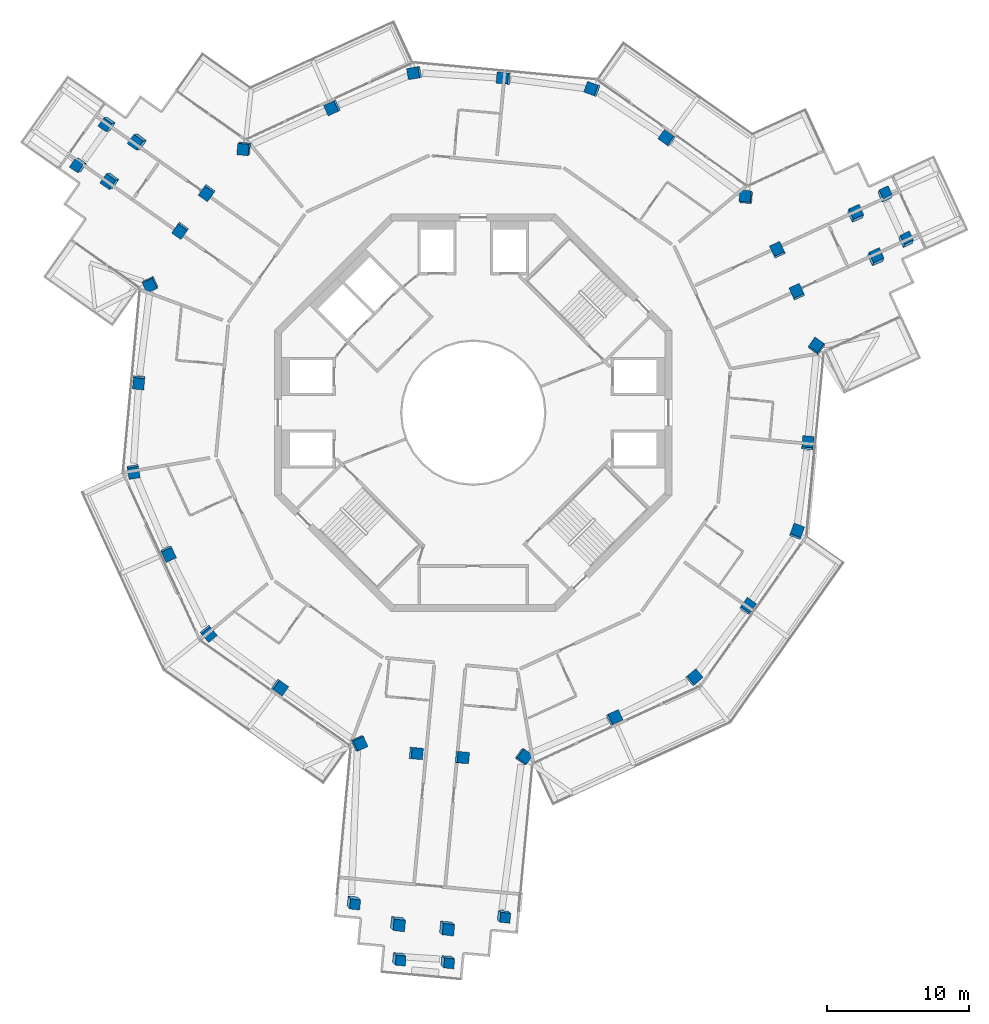
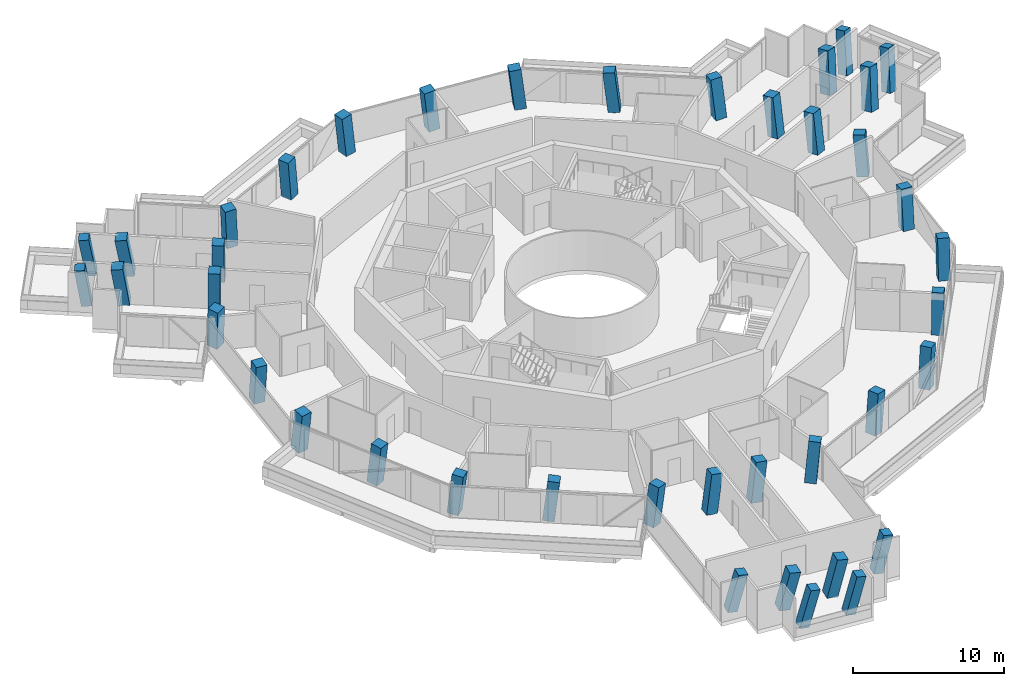
# One storey, part 1 of 23: 41 columns.
"""IFC4 building model written with IfcOpenShell, lengths in metres."""

from ifc_helpers import new_model, si_unit, direction, frame, origin, origin_2d, place, context, subcontext, project, spatial, rectangle, extrude, material, material_profile, profile_set, type_object, element, save


model = new_model("IFC4")

# Units and contexts
model_context = context("Model", 3, precision=1e-05, world=origin(), true_north=direction((0.0, 1.0)))
body_context = subcontext(model_context, "Body", "Model", "MODEL_VIEW")
ifc_project = project(units=[si_unit("LENGTHUNIT", "METRE"), si_unit("AREAUNIT", "SQUARE_METRE"), si_unit("VOLUMEUNIT", "CUBIC_METRE"), si_unit("PLANEANGLEUNIT", "RADIAN"), si_unit("MASSUNIT", "GRAM", prefix="KILO")], contexts=[model_context])

# Site, building, storey
site_placement = place(None, origin())
site = spatial("IfcSite", under=ifc_project, at=site_placement, CompositionType="ELEMENT")
building_placement = place(site_placement, origin())
building = spatial("IfcBuilding", under=site, at=building_placement, Name="Verdalira Terraces Hotel", CompositionType="ELEMENT")
storey_placement = place(building_placement, frame((0.0, 0.0, 256.0)))
storey = spatial("IfcBuildingStorey", under=building, at=storey_placement, Name="L63", CompositionType="ELEMENT", Elevation=256.0)

# Columns
ifc_material_1 = material(Name="Concrete C50", Category="concrete")
ifc_material_profile_1 = material_profile(ifc_material_1, rectangle(XDim=0.699951, YDim=0.699951, at=origin_2d()), Name="RC 700X700")
ifc_profile_set_1 = profile_set([ifc_material_profile_1], Name="Concrete C50")
column_type_1 = type_object("IfcColumnType", Name="Column RC 700X700 C50", PredefinedType="COLUMN", material=ifc_profile_set_1)
column_1_placement = place(storey_placement, frame((-8.503418, -34.41748, 0.0), z_axis=(0.150054882, -0.177966876, 0.972528315), x_axis=(-0.118152843, -0.979844181, -0.16107541)))
element("IfcColumn", 1, at=column_1_placement, inside=storey, type_object=column_type_1, Name="Column C08", PredefinedType="COLUMN", context=body_context, shape_type="SweptSolid", body=[
    extrude(rectangle(XDim=0.699951, YDim=0.699951, at=origin_2d()), origin(), (0.0, 0.0, 1.0), 3.280029),
])
column_2_placement = place(storey_placement, frame((-5.315186, -38.387939, 0.0), z_axis=(0.168380181, -0.162799751, 0.97218535), x_axis=(0.981545622, -0.06300248, -0.180551597)))
element("IfcColumn", 2, at=column_2_placement, inside=storey, type_object=column_type_1, Name="Column C09", PredefinedType="COLUMN", context=body_context, shape_type="SweptSolid", body=[
    extrude(rectangle(XDim=0.699951, YDim=0.699951, at=origin_2d()), origin(), (0.0, 0.0, 1.0), 3.28125),
])
column_3_placement = place(storey_placement, frame((-1.900391, -38.603027, 0.0), z_axis=(0.169591941, -0.147292912, 0.974445161), x_axis=(0.98128985, -0.066215383, -0.180792017)))
element("IfcColumn", 3, at=column_3_placement, inside=storey, type_object=column_type_1, Name="Column C10", PredefinedType="COLUMN", context=body_context, shape_type="SweptSolid", body=[
    extrude(rectangle(XDim=0.699951, YDim=0.699951, at=origin_2d()), origin(), (0.0, 0.0, 1.0), 3.273682),
])
column_4_placement = place(storey_placement, frame((2.069824, -35.414795, 0.0), z_axis=(0.155301666, -0.129592944, 0.979329904), x_axis=(0.110818667, 0.987385899, 0.113085408)))
element("IfcColumn", 4, at=column_4_placement, inside=storey, type_object=column_type_1, Name="Column C11", PredefinedType="COLUMN", context=body_context, shape_type="SweptSolid", body=[
    extrude(rectangle(XDim=0.699951, YDim=0.699951, at=origin_2d()), origin(), (0.0, 0.0, 1.0), 3.257324),
])
column_5_placement = place(storey_placement, frame((30.452393, 12.081787, 0.0), z_axis=(0.069074594, 0.202887931, 0.976762606), x_axis=(-0.434274368, 0.887579156, -0.153652251)))
element("IfcColumn", 5, at=column_5_placement, inside=storey, type_object=column_type_1, Name="Column C19", PredefinedType="COLUMN", context=body_context, shape_type="SweptSolid", body=[
    extrude(rectangle(XDim=0.699951, YDim=0.699951, at=origin_2d()), origin(), (0.0, 0.0, 1.0), 3.265869),
])
column_6_placement = place(storey_placement, frame((28.980225, 15.279297, 0.0), z_axis=(0.054324206, 0.196316442, 0.979034593), x_axis=(-0.431889548, 0.888642561, -0.154226511)))
element("IfcColumn", 6, at=column_6_placement, inside=storey, type_object=column_type_1, Name="Column C20", PredefinedType="COLUMN", context=body_context, shape_type="SweptSolid", body=[
    extrude(rectangle(XDim=0.699951, YDim=0.699951, at=origin_2d()), origin(), (0.0, 0.0, 1.0), 3.258301),
])
column_7_placement = place(storey_placement, frame((-25.689209, 20.331543, 0.0), z_axis=(-0.210287292, -0.041564072, 0.976755692), x_axis=(-0.551780027, -0.819709001, -0.153674837)))
element("IfcColumn", 7, at=column_7_placement, inside=storey, type_object=column_type_1, Name="Column C28", PredefinedType="COLUMN", context=body_context, shape_type="SweptSolid", body=[
    extrude(rectangle(XDim=0.699951, YDim=0.699951, at=origin_2d()), origin(), (0.0, 0.0, 1.0), 3.265869),
])
column_8_placement = place(storey_placement, frame((-27.722412, 17.458008, 0.0), z_axis=(-0.197142188, -0.051102612, 0.979042124), x_axis=(-0.553649369, -0.818348956, -0.154199103)))
element("IfcColumn", 8, at=column_8_placement, inside=storey, type_object=column_type_1, Name="Column C29", PredefinedType="COLUMN", context=body_context, shape_type="SweptSolid", body=[
    extrude(rectangle(XDim=0.699951, YDim=0.699951, at=origin_2d()), origin(), (0.0, 0.0, 1.0), 3.258301),
])
ifc_material_2 = material(Name="Concrete C50", Category="concrete")
ifc_material_profile_2 = material_profile(ifc_material_2, rectangle(XDim=0.800049, YDim=0.800049, at=origin_2d()), Name="RC 800X800")
ifc_profile_set_2 = profile_set([ifc_material_profile_2], Name="Concrete C50")
column_type_2 = type_object("IfcColumnType", Name="Column RC 800X800 C50", PredefinedType="COLUMN", material=ifc_profile_set_2)
column_9_placement = place(storey_placement, frame((-22.739014, 9.081299, 0.0), z_axis=(-0.042339736, -0.108471819, 0.993197468), x_axis=(-0.42248702, 0.902779355, 0.080586321)))
element("IfcColumn", 9, at=column_9_placement, inside=storey, type_object=column_type_2, Name="Column C01", PredefinedType="COLUMN", context=body_context, shape_type="SweptSolid", body=[
    extrude(rectangle(XDim=0.800049, YDim=0.800049, at=origin_2d()), origin(), (0.0, 0.0, 1.0), 3.21167),
])
column_10_placement = place(storey_placement, frame((-23.557861, 2.177002, 0.0), z_axis=(-0.009430042, -0.112095822, 0.993652656), x_axis=(-0.091695583, -0.98941317, -0.112487775)))
element("IfcColumn", 10, at=column_10_placement, inside=storey, type_object=column_type_2, Name="Column C02", PredefinedType="COLUMN", context=body_context, shape_type="SweptSolid", body=[
    extrude(rectangle(XDim=0.800049, YDim=0.800049, at=origin_2d()), origin(), (0.0, 0.0, 1.0), 3.210205),
])
column_11_placement = place(storey_placement, frame((-23.937256, -4.100342, 0.0), z_axis=(0.020450052, -0.113653633, 0.993309945), x_axis=(-0.167598199, 0.97906917, 0.115474692)))
element("IfcColumn", 11, at=column_11_placement, inside=storey, type_object=column_type_2, Name="Column C03", PredefinedType="COLUMN", context=body_context, shape_type="SweptSolid", body=[
    extrude(rectangle(XDim=0.800049, YDim=0.800049, at=origin_2d()), origin(), (0.0, 0.0, 1.0), 3.211426),
])
column_12_placement = place(storey_placement, frame((-21.490234, -9.893555, 0.0), z_axis=(0.047910452, -0.101828723, 0.993647573), x_axis=(0.415383165, -0.902658976, -0.112532662)))
element("IfcColumn", 12, at=column_12_placement, inside=storey, type_object=column_type_2, Name="Column C04", PredefinedType="COLUMN", context=body_context, shape_type="SweptSolid", body=[
    extrude(rectangle(XDim=0.800049, YDim=0.800049, at=origin_2d()), origin(), (0.0, 0.0, 1.0), 3.210449),
])
column_13_placement = place(storey_placement, frame((-18.680176, -15.519531, 0.0), z_axis=(0.074577946, -0.08818595, 0.993308295), x_axis=(-0.634952421, 0.763870238, 0.115488887)))
element("IfcColumn", 13, at=column_13_placement, inside=storey, type_object=column_type_2, Name="Column C05", PredefinedType="COLUMN", context=body_context, shape_type="SweptSolid", body=[
    extrude(rectangle(XDim=0.800049, YDim=0.800049, at=origin_2d()), origin(), (0.0, 0.0, 1.0), 3.211426),
])
column_14_placement = place(storey_placement, frame((-13.664307, -19.313232, 0.0), z_axis=(0.092399066, -0.06418503, 0.993651194), x_axis=(0.811237258, -0.573792389, -0.112500692)))
element("IfcColumn", 14, at=column_14_placement, inside=storey, type_object=column_type_2, Name="Column C06", PredefinedType="COLUMN", context=body_context, shape_type="SweptSolid", body=[
    extrude(rectangle(XDim=0.800049, YDim=0.800049, at=origin_2d()), origin(), (0.0, 0.0, 1.0), 3.210205),
])
column_15_placement = place(storey_placement, frame((-8.075439, -23.267578, 0.0), z_axis=(0.110971278, -0.037471808, 0.993116931), x_axis=(-0.410620438, 0.908276536, 0.080153541)))
element("IfcColumn", 15, at=column_15_placement, inside=storey, type_object=column_type_2, Name="Column C07", PredefinedType="COLUMN", context=body_context, shape_type="SweptSolid", body=[
    extrude(rectangle(XDim=0.800049, YDim=0.800049, at=origin_2d()), origin(), (0.0, 0.0, 1.0), 3.212158),
])
column_16_placement = place(storey_placement, frame((3.504883, -24.233398, 0.0), z_axis=(0.115085213, 0.017635251, 0.99319907), x_axis=(-0.570099571, -0.81761473, 0.080576869)))
element("IfcColumn", 16, at=column_16_placement, inside=storey, type_object=column_type_2, Name="Column C12", PredefinedType="COLUMN", context=body_context, shape_type="SweptSolid", body=[
    extrude(rectangle(XDim=0.800049, YDim=0.800049, at=origin_2d()), origin(), (0.0, 0.0, 1.0), 3.21167),
])
column_17_placement = place(storey_placement, frame((9.893555, -21.490234, 0.0), z_axis=(0.101828723, 0.047910452, 0.993647573), x_axis=(0.902658976, 0.415383165, -0.112532662)))
element("IfcColumn", 17, at=column_17_placement, inside=storey, type_object=column_type_2, Name="Column C13", PredefinedType="COLUMN", context=body_context, shape_type="SweptSolid", body=[
    extrude(rectangle(XDim=0.800049, YDim=0.800049, at=origin_2d()), origin(), (0.0, 0.0, 1.0), 3.210449),
])
column_18_placement = place(storey_placement, frame((15.519531, -18.680176, 0.0), z_axis=(0.08818595, 0.074577946, 0.993308295), x_axis=(-0.763870238, -0.634952421, 0.115488887)))
element("IfcColumn", 18, at=column_18_placement, inside=storey, type_object=column_type_2, Name="Column C14", PredefinedType="COLUMN", context=body_context, shape_type="SweptSolid", body=[
    extrude(rectangle(XDim=0.800049, YDim=0.800049, at=origin_2d()), origin(), (0.0, 0.0, 1.0), 3.211426),
])
column_19_placement = place(storey_placement, frame((19.313232, -13.664307, 0.0), z_axis=(0.06418503, 0.092399066, 0.993651194), x_axis=(0.573792389, 0.811237258, -0.112500692)))
element("IfcColumn", 19, at=column_19_placement, inside=storey, type_object=column_type_2, Name="Column C15", PredefinedType="COLUMN", context=body_context, shape_type="SweptSolid", body=[
    extrude(rectangle(XDim=0.800049, YDim=0.800049, at=origin_2d()), origin(), (0.0, 0.0, 1.0), 3.210205),
])
column_20_placement = place(storey_placement, frame((22.780518, -8.417725, 0.0), z_axis=(0.03907537, 0.108711633, 0.993305037), x_axis=(-0.343913051, -0.931868906, 0.115516902)))
element("IfcColumn", 20, at=column_20_placement, inside=storey, type_object=column_type_2, Name="Column C16", PredefinedType="COLUMN", context=body_context, shape_type="SweptSolid", body=[
    extrude(rectangle(XDim=0.800049, YDim=0.800049, at=origin_2d()), origin(), (0.0, 0.0, 1.0), 3.211426),
])
column_21_placement = place(storey_placement, frame((23.557861, -2.177002, 0.0), z_axis=(0.009430042, 0.112095822, 0.993652656), x_axis=(0.091695583, 0.98941317, -0.112487775)))
element("IfcColumn", 21, at=column_21_placement, inside=storey, type_object=column_type_2, Name="Column C17", PredefinedType="COLUMN", context=body_context, shape_type="SweptSolid", body=[
    extrude(rectangle(XDim=0.800049, YDim=0.800049, at=origin_2d()), origin(), (0.0, 0.0, 1.0), 3.210205),
])
column_22_placement = place(storey_placement, frame((24.187988, 4.640137, 0.0), z_axis=(-0.023030322, 0.114847579, 0.993116125), x_axis=(-0.581316565, -0.809719526, 0.080158219)))
element("IfcColumn", 22, at=column_22_placement, inside=storey, type_object=column_type_2, Name="Column C18", PredefinedType="COLUMN", context=body_context, shape_type="SweptSolid", body=[
    extrude(rectangle(XDim=0.800049, YDim=0.800049, at=origin_2d()), origin(), (0.0, 0.0, 1.0), 3.212158),
])
column_23_placement = place(storey_placement, frame((19.234375, 15.1521, 0.0), z_axis=(-0.072821974, 0.090761416, 0.993206587), x_axis=(0.993171917, -0.084404177, 0.080532472)))
element("IfcColumn", 23, at=column_23_placement, inside=storey, type_object=column_type_2, Name="Column C21", PredefinedType="COLUMN", context=body_context, shape_type="SweptSolid", body=[
    extrude(rectangle(XDim=0.800049, YDim=0.800049, at=origin_2d()), origin(), (0.0, 0.0, 1.0), 3.21167),
])
column_24_placement = place(storey_placement, frame((13.664307, 19.313232, 0.0), z_axis=(-0.092399066, 0.06418503, 0.993651194), x_axis=(-0.811237258, 0.573792389, -0.112500692)))
element("IfcColumn", 24, at=column_24_placement, inside=storey, type_object=column_type_2, Name="Column C22", PredefinedType="COLUMN", context=body_context, shape_type="SweptSolid", body=[
    extrude(rectangle(XDim=0.800049, YDim=0.800049, at=origin_2d()), origin(), (0.0, 0.0, 1.0), 3.210205),
])
column_25_placement = place(storey_placement, frame((8.417725, 22.780518, 0.0), z_axis=(-0.108711633, 0.03907537, 0.993305037), x_axis=(0.931868906, -0.343913051, 0.115516902)))
element("IfcColumn", 25, at=column_25_placement, inside=storey, type_object=column_type_2, Name="Column C23", PredefinedType="COLUMN", context=body_context, shape_type="SweptSolid", body=[
    extrude(rectangle(XDim=0.800049, YDim=0.800049, at=origin_2d()), origin(), (0.0, 0.0, 1.0), 3.211426),
])
column_26_placement = place(storey_placement, frame((2.177002, 23.557861, 0.0), z_axis=(-0.112095822, 0.009430042, 0.993652656), x_axis=(-0.98941317, 0.091695583, -0.112487775)))
element("IfcColumn", 26, at=column_26_placement, inside=storey, type_object=column_type_2, Name="Column C24", PredefinedType="COLUMN", context=body_context, shape_type="SweptSolid", body=[
    extrude(rectangle(XDim=0.800049, YDim=0.800049, at=origin_2d()), origin(), (0.0, 0.0, 1.0), 3.210205),
])
column_27_placement = place(storey_placement, frame((-4.100342, 23.937256, 0.0), z_axis=(-0.113653633, -0.020450052, 0.993309945), x_axis=(0.97906917, 0.167598199, 0.115474692)))
element("IfcColumn", 27, at=column_27_placement, inside=storey, type_object=column_type_2, Name="Column C25", PredefinedType="COLUMN", context=body_context, shape_type="SweptSolid", body=[
    extrude(rectangle(XDim=0.800049, YDim=0.800049, at=origin_2d()), origin(), (0.0, 0.0, 1.0), 3.211426),
])
column_28_placement = place(storey_placement, frame((-9.893555, 21.490234, 0.0), z_axis=(-0.101828723, -0.047910452, 0.993647573), x_axis=(-0.902658976, -0.415383165, -0.112532662)))
element("IfcColumn", 28, at=column_28_placement, inside=storey, type_object=column_type_2, Name="Column C26", PredefinedType="COLUMN", context=body_context, shape_type="SweptSolid", body=[
    extrude(rectangle(XDim=0.800049, YDim=0.800049, at=origin_2d()), origin(), (0.0, 0.0, 1.0), 3.210449),
])
column_29_placement = place(storey_placement, frame((-16.112549, 18.627197, 0.0), z_axis=(-0.087941372, -0.077300238, 0.99312184), x_axis=(0.991858021, -0.098983039, 0.080125056)))
element("IfcColumn", 29, at=column_29_placement, inside=storey, type_object=column_type_2, Name="Column C27", PredefinedType="COLUMN", context=body_context, shape_type="SweptSolid", body=[
    extrude(rectangle(XDim=0.800049, YDim=0.800049, at=origin_2d()), origin(), (0.0, 0.0, 1.0), 3.211914),
])
for number, where, z_axis, x_axis, name in (
    (30, (-18.730713, 15.526367, 0.0), (-0.073131432, -0.089703836, 0.993279928), (-0.81566249, 0.578475307, -0.007811607), "Column C30"),
    (31, (-20.611572, 12.868164, 0.0), (-0.060361398, -0.098524397, 0.993302293), (-0.816854762, 0.576793686, 0.007572473), "Column C31"),
):
    element("IfcColumn", number, at=place(storey_placement, frame(where, z_axis=z_axis, x_axis=x_axis)), inside=storey, type_object=column_type_2, Name=name, PredefinedType="COLUMN", context=body_context, shape_type="SweptSolid", body=[
        extrude(rectangle(XDim=0.800049, YDim=0.800049, at=origin_2d()), origin(), (0.0, 0.0, 1.0), 3.211426),
    ])
column_30_placement = place(storey_placement, frame((-23.557861, 19.084961, 0.0), z_axis=(-0.204778731, -0.031671445, 0.978295758), x_axis=(-0.79481541, 0.588699541, -0.147313657)))
element("IfcColumn", 32, at=column_30_placement, inside=storey, type_object=column_type_2, Name="Column C32", PredefinedType="COLUMN", context=body_context, shape_type="SweptSolid", body=[
    extrude(rectangle(XDim=0.800049, YDim=0.800049, at=origin_2d()), origin(), (0.0, 0.0, 1.0), 3.260742),
])
column_31_placement = place(storey_placement, frame((-25.506104, 16.331055, 0.0), z_axis=(-0.192329754, -0.040747193, 0.980484029), x_axis=(-0.797780921, 0.588311603, -0.132041887)))
element("IfcColumn", 33, at=column_31_placement, inside=storey, type_object=column_type_2, Name="Column C33", PredefinedType="COLUMN", context=body_context, shape_type="SweptSolid", body=[
    extrude(rectangle(XDim=0.800049, YDim=0.800049, at=origin_2d()), origin(), (0.0, 0.0, 1.0), 3.253418),
])
for number, where, z_axis, x_axis, name in (
    (34, (-4.080811, -23.984619, 0.0), (0.114183421, -0.018397062, 0.993289331), (-0.092516268, -0.995680573, -0.007806158), "Column C34"),
    (35, (-0.838379, -24.28418, 0.0), (0.115552655, -0.003040859, 0.993296701), (-0.091325512, -0.995792278, 0.007575623), "Column C35"),
):
    element("IfcColumn", number, at=place(storey_placement, frame(where, z_axis=z_axis, x_axis=x_axis)), inside=storey, type_object=column_type_2, Name=name, PredefinedType="COLUMN", context=body_context, shape_type="SweptSolid", body=[
        extrude(rectangle(XDim=0.800049, YDim=0.800049, at=origin_2d()), origin(), (0.0, 0.0, 1.0), 3.211426),
    ])
column_32_placement = place(storey_placement, frame((-5.401367, -35.909424, 0.0), z_axis=(0.15705618, -0.163615717, 0.97394212), x_axis=(-0.116579038, -0.982357412, -0.1462301)))
element("IfcColumn", 36, at=column_32_placement, inside=storey, type_object=column_type_2, Name="Column C36", PredefinedType="COLUMN", context=body_context, shape_type="SweptSolid", body=[
    extrude(rectangle(XDim=0.800049, YDim=0.800049, at=origin_2d()), origin(), (0.0, 0.0, 1.0), 3.275391),
])
column_33_placement = place(storey_placement, frame((-1.942139, -36.229004, 0.0), z_axis=(0.158762377, -0.147854468, 0.976183161), x_axis=(-0.114191378, -0.98483786, -0.130593712)))
element("IfcColumn", 37, at=column_33_placement, inside=storey, type_object=column_type_2, Name="Column C37", PredefinedType="COLUMN", context=body_context, shape_type="SweptSolid", body=[
    extrude(rectangle(XDim=0.800049, YDim=0.800049, at=origin_2d()), origin(), (0.0, 0.0, 1.0), 3.267822),
])
for number, where, z_axis, x_axis, name in (
    (38, (22.811768, 8.458008, 0.0), (-0.041126956, 0.108176817, 0.9932806), (0.908771144, 0.417221756, -0.007811218), "Column C38"),
    (39, (21.449951, 11.41626, 0.0), (-0.055192027, 0.101489472, 0.993304448), (0.907710237, 0.419529262, 0.007571259), "Column C39"),
):
    element("IfcColumn", number, at=place(storey_placement, frame(where, z_axis=z_axis, x_axis=x_axis)), inside=storey, type_object=column_type_2, Name=name, PredefinedType="COLUMN", context=body_context, shape_type="SweptSolid", body=[
        extrude(rectangle(XDim=0.800049, YDim=0.800049, at=origin_2d()), origin(), (0.0, 0.0, 1.0), 3.211426),
    ])
column_34_placement = place(storey_placement, frame((28.306885, 10.859131, 0.0), z_axis=(0.075022877, 0.193172678, 0.978292331), x_axis=(0.907349616, 0.393715598, -0.147325161)))
element("IfcColumn", 40, at=column_34_placement, inside=storey, type_object=column_type_2, Name="Column C40", PredefinedType="COLUMN", context=body_context, shape_type="SweptSolid", body=[
    extrude(rectangle(XDim=0.800049, YDim=0.800049, at=origin_2d()), origin(), (0.0, 0.0, 1.0), 3.260742),
])
column_35_placement = place(storey_placement, frame((26.89624, 13.923584, 0.0), z_axis=(0.060859175, 0.186854926, 0.980500585), x_axis=(0.908403629, 0.396714546, -0.13198642)))
element("IfcColumn", 41, at=column_35_placement, inside=storey, type_object=column_type_2, Name="Column C41", PredefinedType="COLUMN", context=body_context, shape_type="SweptSolid", body=[
    extrude(rectangle(XDim=0.800049, YDim=0.800049, at=origin_2d()), origin(), (0.0, 0.0, 1.0), 3.253418),
])

save(model, "model.ifc")
